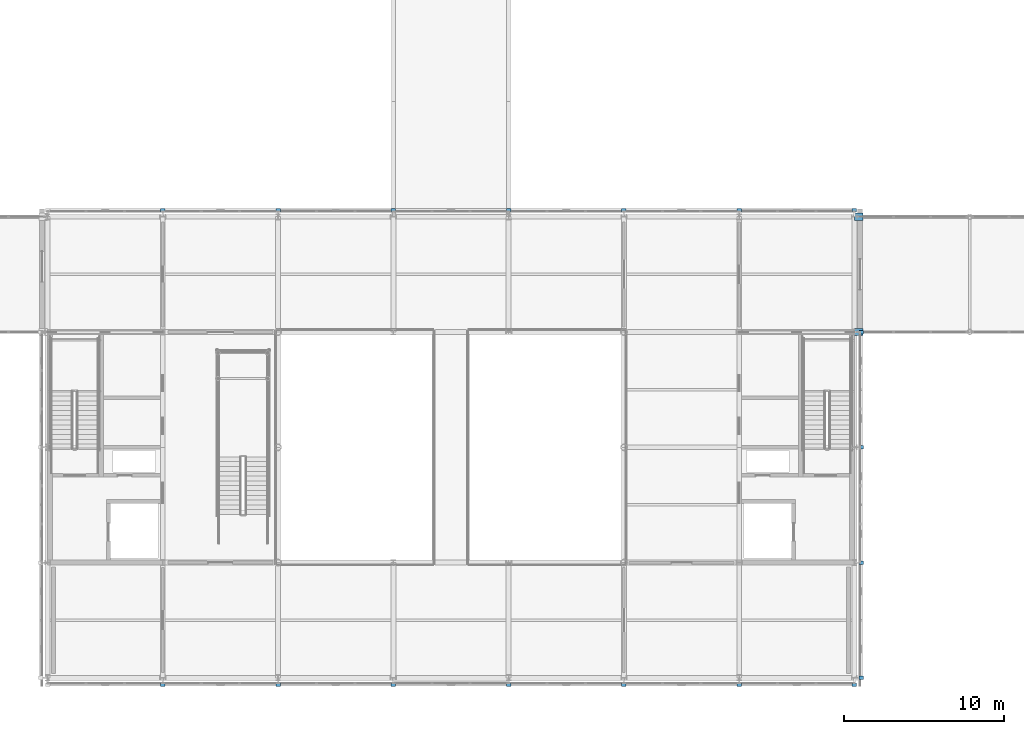
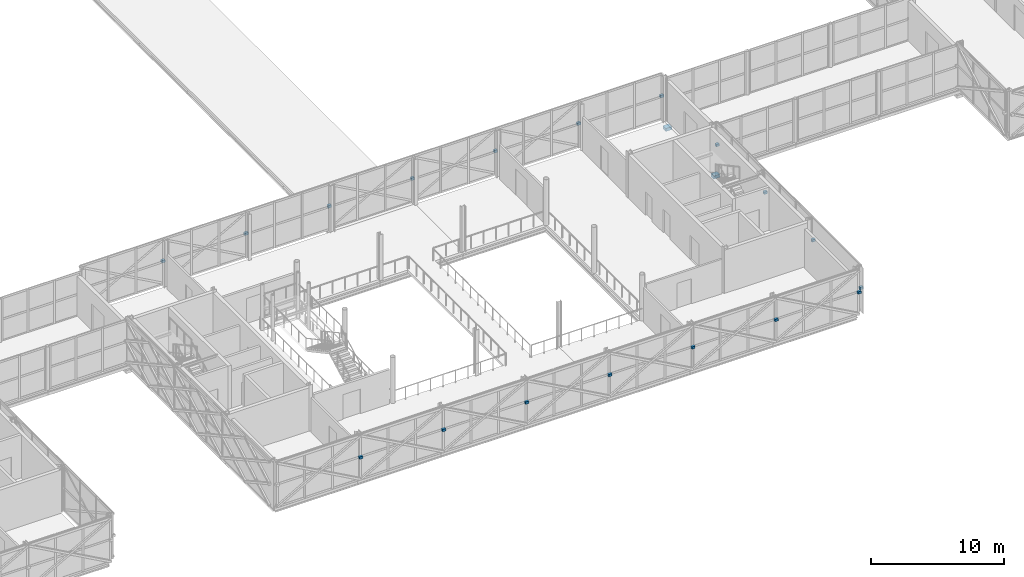
# One storey, part 112 of 126: 20 discrete accessories.
"""IFC4 building model written with IfcOpenShell, lengths in metres."""

from ifc_helpers import new_model, si_unit, direction, frame, origin, origin_2d, place, context, subcontext, project, spatial, rectangle, extrude, material, type_object, element, save


model = new_model("IFC4")

# Units and contexts
model_context = context("Model", 3, precision=1e-05, world=origin(), true_north=direction((0.0, 1.0)))
body_context = subcontext(model_context, "Body", "Model", "MODEL_VIEW")
ifc_project = project(units=[si_unit("LENGTHUNIT", "METRE"), si_unit("AREAUNIT", "SQUARE_METRE"), si_unit("VOLUMEUNIT", "CUBIC_METRE"), si_unit("PLANEANGLEUNIT", "RADIAN"), si_unit("MASSUNIT", "GRAM", prefix="KILO")], contexts=[model_context])

# Site, building, storey
site_placement = place(None, origin())
site = spatial("IfcSite", under=ifc_project, at=site_placement, CompositionType="ELEMENT")
building_placement = place(site_placement, origin())
building = spatial("IfcBuilding", under=site, at=building_placement, Name="Zlatovets Crest Museum", CompositionType="ELEMENT")
storey_placement = place(building_placement, frame((0.0, 0.0, 8.699951171875)))
storey = spatial("IfcBuildingStorey", under=building, at=storey_placement, Name="L02", CompositionType="ELEMENT", Elevation=8.699951171875)

# Discrete accessories
ifc_material = material(Name="Structural steel S355J2", Category="steel")
discrete_accessory_type_1 = type_object("IfcDiscreteAccessoryType", Name="BridgeBearingSeat_BS01", PredefinedType="SHOE", material=ifc_material)
for number, where, z_axis, x_axis, name in (
    (1, (108.260009765625, 21.60009765625, -0.7998046875), (0.0, 0.0, 1.0), (1.0, 0.0, 0.0), "Southeast Archive Glazed Link Bridge L02 520mm Sliding Bearing Seat Corbel Shoe"),
    (2, (108.260009765625, 28.800048828125, -0.7998046875), (0.0, 0.0, 1.0), (1.0, 0.0, 0.0), "Southeast Archive Glazed Link Bridge L02 520mm Sliding Bearing Seat Corbel Shoe"),
):
    element("IfcDiscreteAccessory", number, at=place(storey_placement, frame(where, z_axis=z_axis, x_axis=x_axis)), inside=storey, type_object=discrete_accessory_type_1, Name=name, PredefinedType="SHOE", context=body_context, shape_type="SweptSolid", body=[
        extrude(rectangle(XDim=0.52001953125, YDim=0.449951171875, at=origin_2d()), origin(), (0.0, 0.0, 1.0), 0.280029296875),
    ])
discrete_accessory_type_2 = type_object("IfcDiscreteAccessoryType", Name="LatticeBracket_BK01", PredefinedType="BRACKET", material=ifc_material)
for number, where, z_axis, x_axis, name in (
    (3, (64.800048828125, -0.419921875, 1.990234375), (0.0, 0.0, 1.0), (1.0, 0.0, 0.0), "Bronze Lattice Structural Collector Bracket"),
    (4, (72.0, -0.419921875, 1.990234375), (0.0, 0.0, 1.0), (1.0, 0.0, 0.0), "Bronze Lattice Structural Collector Bracket"),
    (5, (79.199951171875, -0.419921875, 1.990234375), (0.0, 0.0, 1.0), (1.0, 0.0, 0.0), "Bronze Lattice Structural Collector Bracket"),
    (6, (86.39990234375, -0.419921875, 1.990234375), (0.0, 0.0, 1.0), (1.0, 0.0, 0.0), "Bronze Lattice Structural Collector Bracket"),
    (7, (93.60009765625, -0.419921875, 1.990234375), (0.0, 0.0, 1.0), (1.0, 0.0, 0.0), "Bronze Lattice Structural Collector Bracket"),
    (8, (100.800048828125, -0.419921875, 1.990234375), (0.0, 0.0, 1.0), (1.0, 0.0, 0.0), "Bronze Lattice Structural Collector Bracket"),
    (9, (108.0, -0.419921875, 1.990234375), (0.0, 0.0, 1.0), (1.0, 0.0, 0.0), "Bronze Lattice Structural Collector Bracket"),
    (10, (108.419921875, 0.0, 1.990234375), (0.0, 0.0, 1.0), (1.0, 0.0, 0.0), "Bronze Lattice Structural Collector Bracket"),
    (11, (108.419921875, 7.199951171875, 1.990234375), (0.0, 0.0, 1.0), (1.0, 0.0, 0.0), "Bronze Lattice Structural Collector Bracket"),
    (12, (108.419921875, 14.39990234375, 1.990234375), (0.0, 0.0, 1.0), (1.0, 0.0, 0.0), "Bronze Lattice Structural Collector Bracket"),
    (13, (108.419921875, 21.60009765625, 1.990234375), (0.0, 0.0, 1.0), (1.0, 0.0, 0.0), "Bronze Lattice Structural Collector Bracket"),
    (14, (108.0, 29.219970703125, 1.990234375), (0.0, 0.0, 1.0), (1.0, 0.0, 0.0), "Bronze Lattice Structural Collector Bracket"),
    (15, (100.800048828125, 29.219970703125, 1.990234375), (0.0, 0.0, 1.0), (1.0, 0.0, 0.0), "Bronze Lattice Structural Collector Bracket"),
    (16, (93.60009765625, 29.219970703125, 1.990234375), (0.0, 0.0, 1.0), (1.0, 0.0, 0.0), "Bronze Lattice Structural Collector Bracket"),
    (17, (86.39990234375, 29.219970703125, 1.990234375), (0.0, 0.0, 1.0), (1.0, 0.0, 0.0), "Bronze Lattice Structural Collector Bracket"),
    (18, (79.199951171875, 29.219970703125, 1.990234375), (0.0, 0.0, 1.0), (1.0, 0.0, 0.0), "Bronze Lattice Structural Collector Bracket"),
    (19, (72.0, 29.219970703125, 1.990234375), (0.0, 0.0, 1.0), (1.0, 0.0, 0.0), "Bronze Lattice Structural Collector Bracket"),
    (20, (64.800048828125, 29.219970703125, 1.990234375), (0.0, 0.0, 1.0), (1.0, 0.0, 0.0), "Bronze Lattice Structural Collector Bracket"),
):
    element("IfcDiscreteAccessory", number, at=place(storey_placement, frame(where, z_axis=z_axis, x_axis=x_axis)), inside=storey, type_object=discrete_accessory_type_2, Name=name, PredefinedType="BRACKET", context=body_context, shape_type="SweptSolid", body=[
        extrude(rectangle(XDim=0.280029296875, YDim=0.219970703125, at=origin_2d()), origin(), (0.0, 0.0, 1.0), 0.219970703125),
    ])

save(model, "model.ifc")
